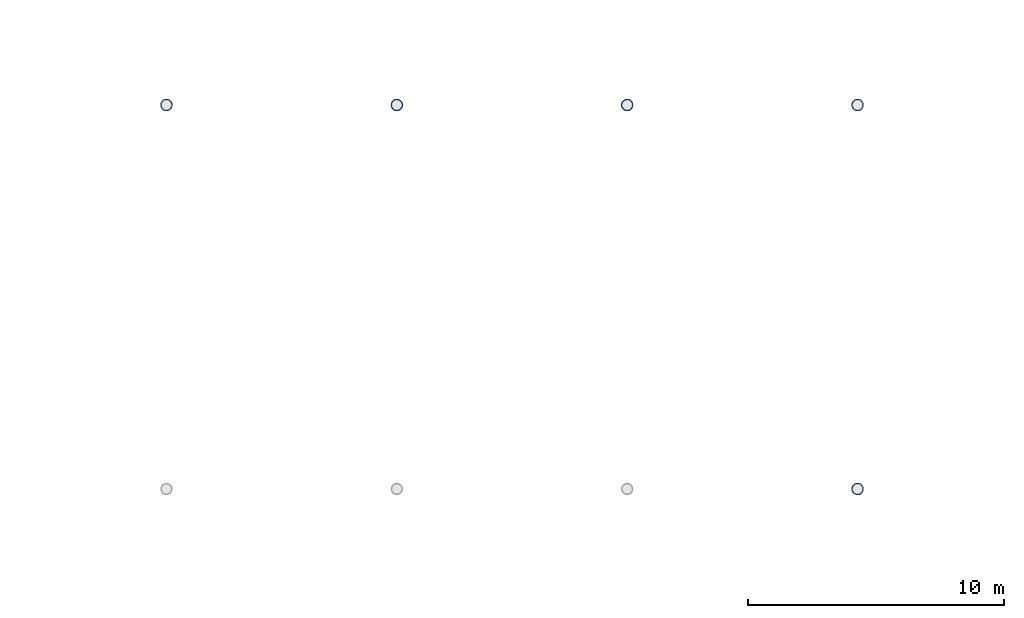
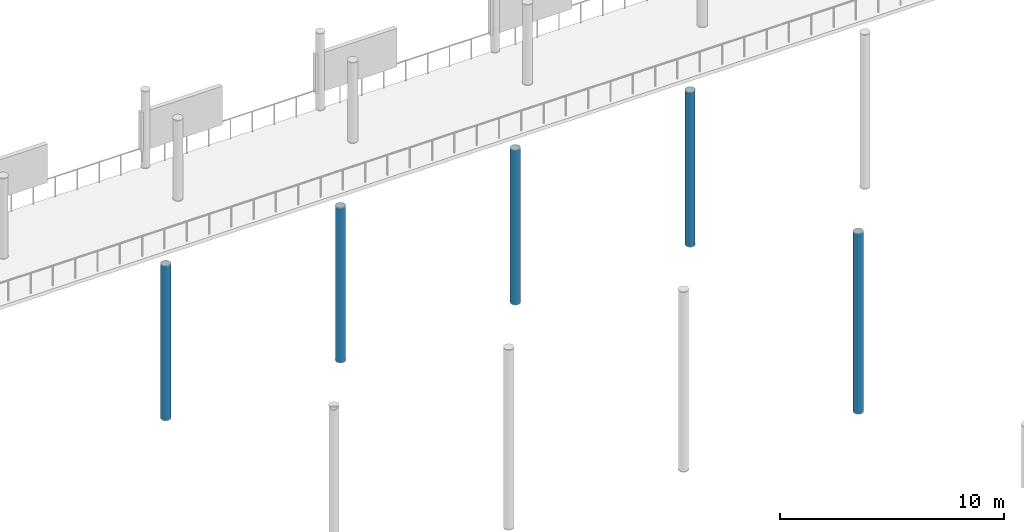
# One storey, part 22 of 143: 5 columns.
"""IFC4 building model written with IfcOpenShell, lengths in metres."""

from ifc_helpers import new_model, si_unit, direction, frame, origin, origin_2d, place, context, subcontext, project, spatial, hollow_circle, extrude, material, material_profile, profile_set, type_object, element, save


model = new_model("IFC4")

# Units and contexts
model_context = context("Model", 3, precision=1e-05, world=origin(), true_north=direction((0.0, 1.0)))
body_context = subcontext(model_context, "Body", "Model", "MODEL_VIEW")
ifc_project = project(units=[si_unit("LENGTHUNIT", "METRE"), si_unit("AREAUNIT", "SQUARE_METRE"), si_unit("VOLUMEUNIT", "CUBIC_METRE"), si_unit("PLANEANGLEUNIT", "RADIAN"), si_unit("MASSUNIT", "GRAM", prefix="KILO")], contexts=[model_context])

# Site, building, storey
site_placement = place(None, origin())
site = spatial("IfcSite", under=ifc_project, at=site_placement, CompositionType="ELEMENT")
building_placement = place(site_placement, origin())
building = spatial("IfcBuilding", under=site, at=building_placement, Name="Marlcrest Central Station", CompositionType="ELEMENT")
storey_placement = place(building_placement, frame((0.0, 0.0, 4.800048828125)))
storey = spatial("IfcBuildingStorey", under=building, at=storey_placement, Name="L01", CompositionType="ELEMENT", Elevation=4.800048828125)

# Columns
ifc_material = material(Name="Steel S355", Category="steel")
ifc_material_profile = material_profile(ifc_material, hollow_circle(Radius=0.228515625, WallThickness=0.02001953125, at=origin_2d()), Name="CHS 457x20")
ifc_profile_set = profile_set([ifc_material_profile], Name="Steel S355")
column_type = type_object("IfcColumnType", Name="SC-11", PredefinedType="COLUMN", material=ifc_profile_set)
for number, where, z_axis, x_axis, name in (
    (1, (162.0, 81.0, 0.0), (0.0, 0.0, 1.0), (1.0, 0.0, 0.0), "col-SC-11-L01-0541"),
    (2, (171.0, 81.0, 0.0), (0.0, 0.0, 1.0), (1.0, 0.0, 0.0), "col-SC-11-L01-0552"),
    (3, (180.0, 81.0, 0.0), (0.0, 0.0, 1.0), (1.0, 0.0, 0.0), "col-SC-11-L01-0563"),
):
    element("IfcColumn", number, at=place(storey_placement, frame(where, z_axis=z_axis, x_axis=x_axis)), inside=storey, type_object=column_type, Name=name, PredefinedType="COLUMN", context=body_context, shape_type="SweptSolid", body=[
        extrude(hollow_circle(Radius=0.228515625, WallThickness=0.02001953125, at=origin_2d()), origin(), (0.0, 0.0, 1.0), 8.40380859375),
    ])
column_1_placement = place(storey_placement, frame((189.0, 66.0, 0.0), z_axis=(0.0, 0.0, 1.0), x_axis=(1.0, 0.0, 0.0)))
element("IfcColumn", 4, at=column_1_placement, inside=storey, type_object=column_type, Name="col-SC-11-L01-0572", PredefinedType="COLUMN", context=body_context, shape_type="SweptSolid", body=[
    extrude(hollow_circle(Radius=0.228515625, WallThickness=0.02001953125, at=origin_2d()), origin(), (0.0, 0.0, 1.0), 9.800048828125),
])
column_2_placement = place(storey_placement, frame((189.0, 81.0, 0.0), z_axis=(0.0, 0.0, 1.0), x_axis=(1.0, 0.0, 0.0)))
element("IfcColumn", 5, at=column_2_placement, inside=storey, type_object=column_type, Name="col-SC-11-L01-0574", PredefinedType="COLUMN", context=body_context, shape_type="SweptSolid", body=[
    extrude(hollow_circle(Radius=0.228515625, WallThickness=0.02001953125, at=origin_2d()), origin(), (0.0, 0.0, 1.0), 8.40380859375),
])

save(model, "model.ifc")
